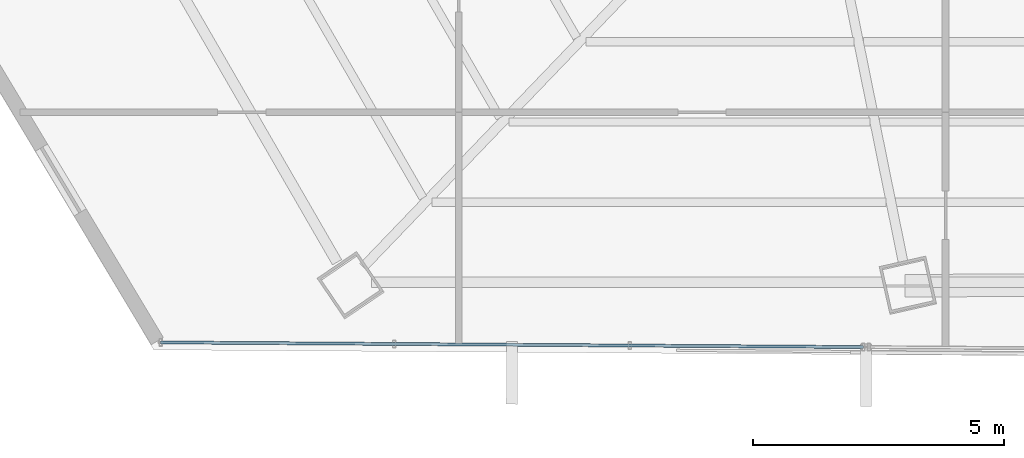
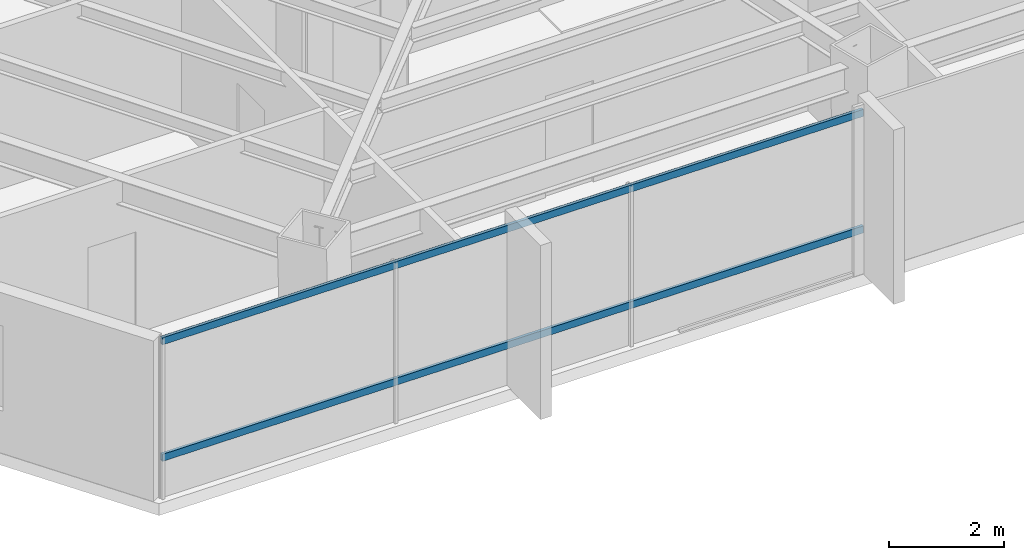
# One storey, part 3 of 40: 2 members, 1 element without a shape of its own.
"""IFC4 building model written with IfcOpenShell, lengths in metres."""

from ifc_helpers import new_model, si_unit, direction, frame, origin, origin_2d, place, context, subcontext, project, spatial, hollow_rectangle, extrude, source, transform, mapped, material, material_profile, profile_set, type_object, type_shapes, element, aggregate, save


model = new_model("IFC4")

# Units and contexts
model_context = context("Model", 3, precision=1e-05, world=origin(), true_north=direction((0.0, 1.0)))
body_context = subcontext(model_context, "Body", "Model", "MODEL_VIEW")
ifc_project = project(units=[si_unit("LENGTHUNIT", "METRE"), si_unit("AREAUNIT", "SQUARE_METRE"), si_unit("VOLUMEUNIT", "CUBIC_METRE"), si_unit("PLANEANGLEUNIT", "RADIAN"), si_unit("MASSUNIT", "GRAM", prefix="KILO")], contexts=[model_context])

# Site, building, storey
site_placement = place(None, origin())
site = spatial("IfcSite", under=ifc_project, at=site_placement, CompositionType="ELEMENT")
building_placement = place(site_placement, origin())
building = spatial("IfcBuilding", under=site, at=building_placement, Name="Caelisora Broadcast Tower", CompositionType="ELEMENT")
storey_placement = place(building_placement, frame((0.0, 0.0, 176.75)))
storey = spatial("IfcBuildingStorey", under=building, at=storey_placement, Name="L46", CompositionType="ELEMENT", Elevation=176.75)

# Curtain wall, members
ifc_material_1 = material(Name="Unitised Aluminium and Low-E Glass Curtain Wall", Category="glass")
curtain_wall_type = type_object("IfcCurtainWallType", Name="CW-Z3", PredefinedType="NOTDEFINED", material=ifc_material_1)
curtain_wall_placement = place(storey_placement, origin())
curtain_wall = element("IfcCurtainWall", 1, at=curtain_wall_placement, inside=storey, type_object=curtain_wall_type, Name="L46 curtain wall CW-Z3", PredefinedType="NOTDEFINED")
ifc_material_2 = material(Name="Aluminium 6063-T6 Anodised Terracotta Bronze", Category="aluminium")
ifc_material_profile = material_profile(ifc_material_2, hollow_rectangle(XDim=0.06005859375, YDim=0.14990234375, WallThickness=0.00341796875, at=origin_2d()), Name="Aluminium 6063-T6 Anodised Terracotta Bronze")
ifc_profile_set = profile_set([ifc_material_profile], Name="Aluminium 6063-T6 Anodised Terracotta Bronze")
member_type = type_object("IfcMemberType", Name="CWT-02", PredefinedType="USERDEFINED", material=ifc_profile_set)
shared_shape = source(origin(), body_context, "Body", "SweptSolid", [
    extrude(hollow_rectangle(XDim=0.06005859375, YDim=0.14990234375, WallThickness=0.00341796875, at=origin_2d()), origin(), (0.0, 0.0, 1.0), 14.000244140625),
])
type_shapes(member_type, [shared_shape])
member_1_placement = place(storey_placement, frame((31.56494140625, 6.53466796875, 0.85009765625), z_axis=(-0.999977928614, 0.006643966078, 0.0), x_axis=(-0.006643966078, -0.999977928614, 0.0)))
member_1 = element("IfcMember", 2, at=member_1_placement, type_object=member_type, Name="L46-CW-B07 transom #1", ObjectType="TRANSOM", PredefinedType="USERDEFINED", context=body_context, shape_type="MappedRepresentation", body=[
    mapped(shared_shape, transform((0.0, 0.0, 0.0), scale=1.0)),
])
member_2_placement = place(storey_placement, frame((31.56494140625, 6.53466796875, 3.320068359375), z_axis=(-0.999977928614, 0.006643966078, 0.0), x_axis=(-0.006643966078, -0.999977928614, 0.0)))
member_2 = element("IfcMember", 3, at=member_2_placement, type_object=member_type, Name="L46-CW-B07 transom #2", ObjectType="TRANSOM", PredefinedType="USERDEFINED", context=body_context, shape_type="MappedRepresentation", body=[
    mapped(shared_shape, transform((0.0, 0.0, 0.0), scale=1.0)),
])
aggregate(curtain_wall, [member_1, member_2])

save(model, "model.ifc")
